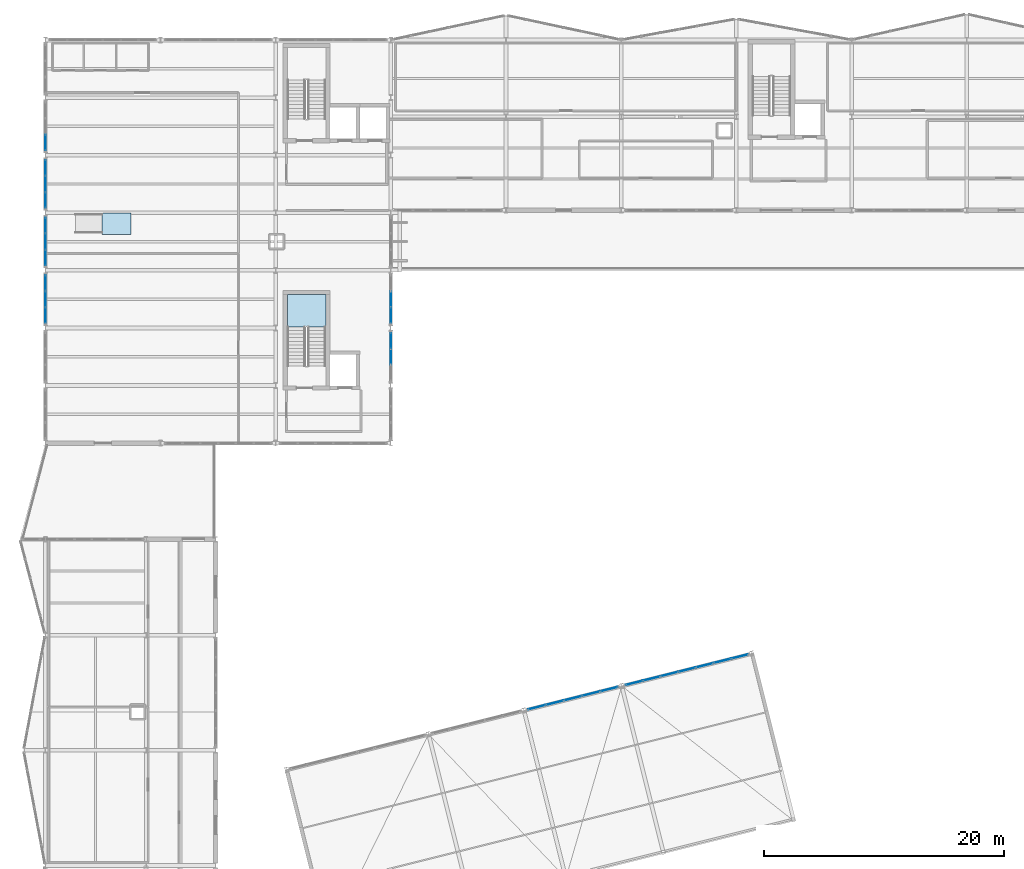
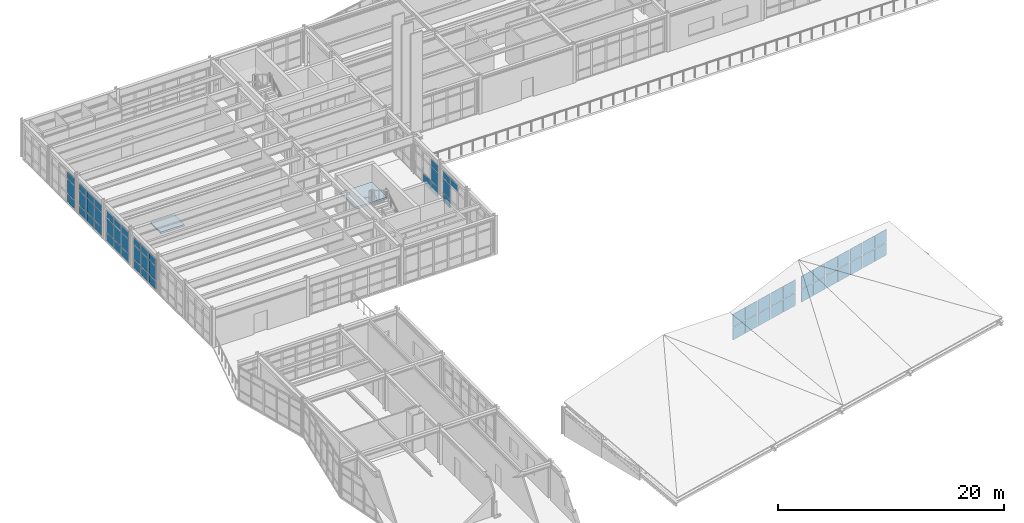
# One storey, part 32 of 47: 62 plates, 2 slabs, 9 elements without a shape of their own.
"""IFC4 building model written with IfcOpenShell, lengths in metres."""

from ifc_helpers import new_model, si_unit, direction, frame, origin, origin_2d, place, context, subcontext, project, spatial, polyline, rectangle, outline, extrude, material, layer, layer_set, type_object, element, aggregate, save


model = new_model("IFC4")

# Units and contexts
model_context = context("Model", 3, precision=1e-05, world=origin(), true_north=direction((0.0, 1.0)))
body_context = subcontext(model_context, "Body", "Model", "MODEL_VIEW")
ifc_project = project(units=[si_unit("LENGTHUNIT", "METRE"), si_unit("AREAUNIT", "SQUARE_METRE"), si_unit("VOLUMEUNIT", "CUBIC_METRE"), si_unit("PLANEANGLEUNIT", "RADIAN"), si_unit("MASSUNIT", "GRAM", prefix="KILO")], contexts=[model_context])

# Site, building, storey
site_placement = place(None, origin())
site = spatial("IfcSite", under=ifc_project, at=site_placement, CompositionType="ELEMENT")
building_placement = place(site_placement, origin())
building = spatial("IfcBuilding", under=site, at=building_placement, Name="Nordkorset Police Headquarters", CompositionType="ELEMENT")
storey_placement = place(building_placement, frame((0.0, 0.0, 22.050048828125)))
storey = spatial("IfcBuildingStorey", under=building, at=storey_placement, Name="L05", CompositionType="ELEMENT", Elevation=22.050048828125)

# Curtain wall, plates
ifc_material_1 = material(Name="Aluminium alloy AW-6060", Category="aluminium")
ifc_layer_1 = layer(ifc_material_1, 0.179931640625, Name="Aluminium alloy AW-6060")
ifc_layer_set_1 = layer_set([ifc_layer_1], Name="Aluminium alloy AW-6060")
curtain_wall_type_1 = type_object("IfcCurtainWallType", Name="CW_Unit_408x344", PredefinedType="USERDEFINED", material=ifc_layer_set_1)
curtain_wall_1_placement = place(storey_placement, origin())
curtain_wall_1 = element("IfcCurtainWall", 1, at=curtain_wall_1_placement, inside=storey, type_object=curtain_wall_type_1, Name="Unitised Curtain Wall L05 V1W-2", ObjectType="UNITISED CURTAIN WALL", PredefinedType="USERDEFINED")
ifc_material_2 = material(Name="Low-iron triple glazing", Category="glass")
ifc_layer_2 = layer(ifc_material_2, 0.035888671875, Name="Low-iron triple glazing")
ifc_layer_set_2 = layer_set([ifc_layer_2], Name="Low-iron triple glazing")
plate_type = type_object("IfcPlateType", Name="CW_Panel_TripleGlazing_36", PredefinedType="CURTAIN_PANEL", material=ifc_layer_set_2)
plate_1_placement = place(storey_placement, frame((0.0, 93.856201171875, 0.06494140625), z_axis=(0.0, 0.0, 1.0), x_axis=(0.0, 1.0, 0.0)))
plate_1 = element("IfcPlate", 2, at=plate_1_placement, type_object=plate_type, Name="CW-29 panel 1.1", PredefinedType="CURTAIN_PANEL", context=body_context, shape_type="SweptSolid", body=[
    extrude(rectangle(XDim=1.262451171875, YDim=0.035888671875, at=origin_2d()), origin(), (0.0, 0.0, 1.0), 0.902587890625),
])
plate_2_placement = place(storey_placement, frame((0.0, 93.856201171875, 1.032470703125), z_axis=(0.0, 0.0, 1.0), x_axis=(0.0, 1.0, 0.0)))
plate_2 = element("IfcPlate", 3, at=plate_2_placement, type_object=plate_type, Name="CW-29 panel 1.2", PredefinedType="CURTAIN_PANEL", context=body_context, shape_type="SweptSolid", body=[
    extrude(rectangle(XDim=1.262451171875, YDim=0.035888671875, at=origin_2d()), origin(), (0.0, 0.0, 1.0), 1.52490234375),
])
plate_3_placement = place(storey_placement, frame((0.0, 93.856201171875, 2.62255859375), z_axis=(0.0, 0.0, 1.0), x_axis=(0.0, 1.0, 0.0)))
plate_3 = element("IfcPlate", 4, at=plate_3_placement, type_object=plate_type, Name="CW-29 panel 1.3", PredefinedType="CURTAIN_PANEL", context=body_context, shape_type="SweptSolid", body=[
    extrude(rectangle(XDim=1.262451171875, YDim=0.035888671875, at=origin_2d()), origin(), (0.0, 0.0, 1.0), 0.75244140625),
])
plate_4_placement = place(storey_placement, frame((0.0, 95.199951171875, 0.06494140625), z_axis=(0.0, 0.0, 1.0), x_axis=(0.0, 1.0, 0.0)))
plate_4 = element("IfcPlate", 5, at=plate_4_placement, type_object=plate_type, Name="CW-29 panel 2.1", PredefinedType="CURTAIN_PANEL", context=body_context, shape_type="SweptSolid", body=[
    extrude(rectangle(XDim=1.294921875, YDim=0.035888671875, at=origin_2d()), origin(), (0.0, 0.0, 1.0), 0.902587890625),
])
plate_5_placement = place(storey_placement, frame((0.0, 95.199951171875, 1.032470703125), z_axis=(0.0, 0.0, 1.0), x_axis=(0.0, 1.0, 0.0)))
plate_5 = element("IfcPlate", 6, at=plate_5_placement, type_object=plate_type, Name="CW-29 panel 2.2", PredefinedType="CURTAIN_PANEL", context=body_context, shape_type="SweptSolid", body=[
    extrude(rectangle(XDim=1.294921875, YDim=0.035888671875, at=origin_2d()), origin(), (0.0, 0.0, 1.0), 1.52490234375),
])
plate_6_placement = place(storey_placement, frame((0.0, 95.199951171875, 2.62255859375), z_axis=(0.0, 0.0, 1.0), x_axis=(0.0, 1.0, 0.0)))
plate_6 = element("IfcPlate", 7, at=plate_6_placement, type_object=plate_type, Name="CW-29 panel 2.3", PredefinedType="CURTAIN_PANEL", context=body_context, shape_type="SweptSolid", body=[
    extrude(rectangle(XDim=1.294921875, YDim=0.035888671875, at=origin_2d()), origin(), (0.0, 0.0, 1.0), 0.75244140625),
])
plate_7_placement = place(storey_placement, frame((0.0, 96.543701171875, 0.06494140625), z_axis=(0.0, 0.0, 1.0), x_axis=(0.0, 1.0, 0.0)))
plate_7 = element("IfcPlate", 8, at=plate_7_placement, type_object=plate_type, Name="CW-29 panel 3.1", PredefinedType="CURTAIN_PANEL", context=body_context, shape_type="SweptSolid", body=[
    extrude(rectangle(XDim=1.262451171875, YDim=0.035888671875, at=origin_2d()), origin(), (0.0, 0.0, 1.0), 0.902587890625),
])
plate_8_placement = place(storey_placement, frame((0.0, 96.543701171875, 1.032470703125), z_axis=(0.0, 0.0, 1.0), x_axis=(0.0, 1.0, 0.0)))
plate_8 = element("IfcPlate", 9, at=plate_8_placement, type_object=plate_type, Name="CW-29 panel 3.2", PredefinedType="CURTAIN_PANEL", context=body_context, shape_type="SweptSolid", body=[
    extrude(rectangle(XDim=1.262451171875, YDim=0.035888671875, at=origin_2d()), origin(), (0.0, 0.0, 1.0), 1.52490234375),
])
plate_9_placement = place(storey_placement, frame((0.0, 96.543701171875, 2.62255859375), z_axis=(0.0, 0.0, 1.0), x_axis=(0.0, 1.0, 0.0)))
plate_9 = element("IfcPlate", 10, at=plate_9_placement, type_object=plate_type, Name="CW-29 panel 3.3", PredefinedType="CURTAIN_PANEL", context=body_context, shape_type="SweptSolid", body=[
    extrude(rectangle(XDim=1.262451171875, YDim=0.035888671875, at=origin_2d()), origin(), (0.0, 0.0, 1.0), 0.75244140625),
])
aggregate(curtain_wall_1, [plate_1, plate_2, plate_3, plate_4, plate_5, plate_6, plate_7, plate_8, plate_9])

curtain_wall_2_placement = place(storey_placement, origin())
curtain_wall_2 = element("IfcCurtainWall", 11, at=curtain_wall_2_placement, inside=storey, type_object=curtain_wall_type_1, Name="Unitised Curtain Wall L05 V1W-3", ObjectType="UNITISED CURTAIN WALL", PredefinedType="USERDEFINED")
plate_10_placement = place(storey_placement, frame((0.0, 98.65625, 0.06494140625), z_axis=(0.0, 0.0, 1.0), x_axis=(0.0, 1.0, 0.0)))
plate_10 = element("IfcPlate", 12, at=plate_10_placement, type_object=plate_type, Name="CW-29 panel 1.1", PredefinedType="CURTAIN_PANEL", context=body_context, shape_type="SweptSolid", body=[
    extrude(rectangle(XDim=1.262451171875, YDim=0.035888671875, at=origin_2d()), origin(), (0.0, 0.0, 1.0), 0.902587890625),
])
plate_11_placement = place(storey_placement, frame((0.0, 98.65625, 1.032470703125), z_axis=(0.0, 0.0, 1.0), x_axis=(0.0, 1.0, 0.0)))
plate_11 = element("IfcPlate", 13, at=plate_11_placement, type_object=plate_type, Name="CW-29 panel 1.2", PredefinedType="CURTAIN_PANEL", context=body_context, shape_type="SweptSolid", body=[
    extrude(rectangle(XDim=1.262451171875, YDim=0.035888671875, at=origin_2d()), origin(), (0.0, 0.0, 1.0), 1.52490234375),
])
plate_12_placement = place(storey_placement, frame((0.0, 98.65625, 2.62255859375), z_axis=(0.0, 0.0, 1.0), x_axis=(0.0, 1.0, 0.0)))
plate_12 = element("IfcPlate", 14, at=plate_12_placement, type_object=plate_type, Name="CW-29 panel 1.3", PredefinedType="CURTAIN_PANEL", context=body_context, shape_type="SweptSolid", body=[
    extrude(rectangle(XDim=1.262451171875, YDim=0.035888671875, at=origin_2d()), origin(), (0.0, 0.0, 1.0), 0.75244140625),
])
plate_13_placement = place(storey_placement, frame((0.0, 100.0, 0.06494140625), z_axis=(0.0, 0.0, 1.0), x_axis=(0.0, 1.0, 0.0)))
plate_13 = element("IfcPlate", 15, at=plate_13_placement, type_object=plate_type, Name="CW-29 panel 2.1", PredefinedType="CURTAIN_PANEL", context=body_context, shape_type="SweptSolid", body=[
    extrude(rectangle(XDim=1.294921875, YDim=0.035888671875, at=origin_2d()), origin(), (0.0, 0.0, 1.0), 0.902587890625),
])
plate_14_placement = place(storey_placement, frame((0.0, 100.0, 1.032470703125), z_axis=(0.0, 0.0, 1.0), x_axis=(0.0, 1.0, 0.0)))
plate_14 = element("IfcPlate", 16, at=plate_14_placement, type_object=plate_type, Name="CW-29 panel 2.2", PredefinedType="CURTAIN_PANEL", context=body_context, shape_type="SweptSolid", body=[
    extrude(rectangle(XDim=1.294921875, YDim=0.035888671875, at=origin_2d()), origin(), (0.0, 0.0, 1.0), 1.52490234375),
])
plate_15_placement = place(storey_placement, frame((0.0, 100.0, 2.62255859375), z_axis=(0.0, 0.0, 1.0), x_axis=(0.0, 1.0, 0.0)))
plate_15 = element("IfcPlate", 17, at=plate_15_placement, type_object=plate_type, Name="CW-29 panel 2.3", PredefinedType="CURTAIN_PANEL", context=body_context, shape_type="SweptSolid", body=[
    extrude(rectangle(XDim=1.294921875, YDim=0.035888671875, at=origin_2d()), origin(), (0.0, 0.0, 1.0), 0.75244140625),
])
plate_16_placement = place(storey_placement, frame((0.0, 101.34375, 0.06494140625), z_axis=(0.0, 0.0, 1.0), x_axis=(0.0, 1.0, 0.0)))
plate_16 = element("IfcPlate", 18, at=plate_16_placement, type_object=plate_type, Name="CW-29 panel 3.1", PredefinedType="CURTAIN_PANEL", context=body_context, shape_type="SweptSolid", body=[
    extrude(rectangle(XDim=1.262451171875, YDim=0.035888671875, at=origin_2d()), origin(), (0.0, 0.0, 1.0), 0.902587890625),
])
plate_17_placement = place(storey_placement, frame((0.0, 101.34375, 1.032470703125), z_axis=(0.0, 0.0, 1.0), x_axis=(0.0, 1.0, 0.0)))
plate_17 = element("IfcPlate", 19, at=plate_17_placement, type_object=plate_type, Name="CW-29 panel 3.2", PredefinedType="CURTAIN_PANEL", context=body_context, shape_type="SweptSolid", body=[
    extrude(rectangle(XDim=1.262451171875, YDim=0.035888671875, at=origin_2d()), origin(), (0.0, 0.0, 1.0), 1.52490234375),
])
plate_18_placement = place(storey_placement, frame((0.0, 101.34375, 2.62255859375), z_axis=(0.0, 0.0, 1.0), x_axis=(0.0, 1.0, 0.0)))
plate_18 = element("IfcPlate", 20, at=plate_18_placement, type_object=plate_type, Name="CW-29 panel 3.3", PredefinedType="CURTAIN_PANEL", context=body_context, shape_type="SweptSolid", body=[
    extrude(rectangle(XDim=1.262451171875, YDim=0.035888671875, at=origin_2d()), origin(), (0.0, 0.0, 1.0), 0.75244140625),
])
aggregate(curtain_wall_2, [plate_10, plate_11, plate_12, plate_13, plate_14, plate_15, plate_16, plate_17, plate_18])

curtain_wall_3_placement = place(storey_placement, origin())
curtain_wall_3 = element("IfcCurtainWall", 21, at=curtain_wall_3_placement, inside=storey, type_object=curtain_wall_type_1, Name="Unitised Curtain Wall L05 V1W-4", ObjectType="UNITISED CURTAIN WALL", PredefinedType="USERDEFINED")
plate_19_placement = place(storey_placement, frame((0.0, 103.456298828125, 0.06494140625), z_axis=(0.0, 0.0, 1.0), x_axis=(0.0, 1.0, 0.0)))
plate_19 = element("IfcPlate", 22, at=plate_19_placement, type_object=plate_type, Name="CW-29 panel 1.1", PredefinedType="CURTAIN_PANEL", context=body_context, shape_type="SweptSolid", body=[
    extrude(rectangle(XDim=1.262451171875, YDim=0.035888671875, at=origin_2d()), origin(), (0.0, 0.0, 1.0), 0.902587890625),
])
plate_20_placement = place(storey_placement, frame((0.0, 103.456298828125, 1.032470703125), z_axis=(0.0, 0.0, 1.0), x_axis=(0.0, 1.0, 0.0)))
plate_20 = element("IfcPlate", 23, at=plate_20_placement, type_object=plate_type, Name="CW-29 panel 1.2", PredefinedType="CURTAIN_PANEL", context=body_context, shape_type="SweptSolid", body=[
    extrude(rectangle(XDim=1.262451171875, YDim=0.035888671875, at=origin_2d()), origin(), (0.0, 0.0, 1.0), 1.52490234375),
])
plate_21_placement = place(storey_placement, frame((0.0, 103.456298828125, 2.62255859375), z_axis=(0.0, 0.0, 1.0), x_axis=(0.0, 1.0, 0.0)))
plate_21 = element("IfcPlate", 24, at=plate_21_placement, type_object=plate_type, Name="CW-29 panel 1.3", PredefinedType="CURTAIN_PANEL", context=body_context, shape_type="SweptSolid", body=[
    extrude(rectangle(XDim=1.262451171875, YDim=0.035888671875, at=origin_2d()), origin(), (0.0, 0.0, 1.0), 0.75244140625),
])
plate_22_placement = place(storey_placement, frame((0.0, 104.800048828125, 0.06494140625), z_axis=(0.0, 0.0, 1.0), x_axis=(0.0, 1.0, 0.0)))
plate_22 = element("IfcPlate", 25, at=plate_22_placement, type_object=plate_type, Name="CW-29 panel 2.1", PredefinedType="CURTAIN_PANEL", context=body_context, shape_type="SweptSolid", body=[
    extrude(rectangle(XDim=1.294921875, YDim=0.035888671875, at=origin_2d()), origin(), (0.0, 0.0, 1.0), 0.902587890625),
])
plate_23_placement = place(storey_placement, frame((0.0, 104.800048828125, 1.032470703125), z_axis=(0.0, 0.0, 1.0), x_axis=(0.0, 1.0, 0.0)))
plate_23 = element("IfcPlate", 26, at=plate_23_placement, type_object=plate_type, Name="CW-29 panel 2.2", PredefinedType="CURTAIN_PANEL", context=body_context, shape_type="SweptSolid", body=[
    extrude(rectangle(XDim=1.294921875, YDim=0.035888671875, at=origin_2d()), origin(), (0.0, 0.0, 1.0), 1.52490234375),
])
plate_24_placement = place(storey_placement, frame((0.0, 104.800048828125, 2.62255859375), z_axis=(0.0, 0.0, 1.0), x_axis=(0.0, 1.0, 0.0)))
plate_24 = element("IfcPlate", 27, at=plate_24_placement, type_object=plate_type, Name="CW-29 panel 2.3", PredefinedType="CURTAIN_PANEL", context=body_context, shape_type="SweptSolid", body=[
    extrude(rectangle(XDim=1.294921875, YDim=0.035888671875, at=origin_2d()), origin(), (0.0, 0.0, 1.0), 0.75244140625),
])
plate_25_placement = place(storey_placement, frame((0.0, 106.143798828125, 0.06494140625), z_axis=(0.0, 0.0, 1.0), x_axis=(0.0, 1.0, 0.0)))
plate_25 = element("IfcPlate", 28, at=plate_25_placement, type_object=plate_type, Name="CW-29 panel 3.1", PredefinedType="CURTAIN_PANEL", context=body_context, shape_type="SweptSolid", body=[
    extrude(rectangle(XDim=1.262451171875, YDim=0.035888671875, at=origin_2d()), origin(), (0.0, 0.0, 1.0), 0.902587890625),
])
plate_26_placement = place(storey_placement, frame((0.0, 106.143798828125, 1.032470703125), z_axis=(0.0, 0.0, 1.0), x_axis=(0.0, 1.0, 0.0)))
plate_26 = element("IfcPlate", 29, at=plate_26_placement, type_object=plate_type, Name="CW-29 panel 3.2", PredefinedType="CURTAIN_PANEL", context=body_context, shape_type="SweptSolid", body=[
    extrude(rectangle(XDim=1.262451171875, YDim=0.035888671875, at=origin_2d()), origin(), (0.0, 0.0, 1.0), 1.52490234375),
])
plate_27_placement = place(storey_placement, frame((0.0, 106.143798828125, 2.62255859375), z_axis=(0.0, 0.0, 1.0), x_axis=(0.0, 1.0, 0.0)))
plate_27 = element("IfcPlate", 30, at=plate_27_placement, type_object=plate_type, Name="CW-29 panel 3.3", PredefinedType="CURTAIN_PANEL", context=body_context, shape_type="SweptSolid", body=[
    extrude(rectangle(XDim=1.262451171875, YDim=0.035888671875, at=origin_2d()), origin(), (0.0, 0.0, 1.0), 0.75244140625),
])
aggregate(curtain_wall_3, [plate_19, plate_20, plate_21, plate_22, plate_23, plate_24, plate_25, plate_26, plate_27])

curtain_wall_4_placement = place(storey_placement, origin())
curtain_wall_4 = element("IfcCurtainWall", 31, at=curtain_wall_4_placement, inside=storey, type_object=curtain_wall_type_1, Name="Unitised Curtain Wall L05 V1W-5", ObjectType="UNITISED CURTAIN WALL", PredefinedType="USERDEFINED")
plate_28_placement = place(storey_placement, frame((0.0, 108.25634765625, 0.06494140625), z_axis=(0.0, 0.0, 1.0), x_axis=(0.0, 1.0, 0.0)))
plate_28 = element("IfcPlate", 32, at=plate_28_placement, type_object=plate_type, Name="CW-29 panel 1.1", PredefinedType="CURTAIN_PANEL", context=body_context, shape_type="SweptSolid", body=[
    extrude(rectangle(XDim=1.262451171875, YDim=0.035888671875, at=origin_2d()), origin(), (0.0, 0.0, 1.0), 0.902587890625),
])
plate_29_placement = place(storey_placement, frame((0.0, 108.25634765625, 1.032470703125), z_axis=(0.0, 0.0, 1.0), x_axis=(0.0, 1.0, 0.0)))
plate_29 = element("IfcPlate", 33, at=plate_29_placement, type_object=plate_type, Name="CW-29 panel 1.2", PredefinedType="CURTAIN_PANEL", context=body_context, shape_type="SweptSolid", body=[
    extrude(rectangle(XDim=1.262451171875, YDim=0.035888671875, at=origin_2d()), origin(), (0.0, 0.0, 1.0), 1.52490234375),
])
plate_30_placement = place(storey_placement, frame((0.0, 108.25634765625, 2.62255859375), z_axis=(0.0, 0.0, 1.0), x_axis=(0.0, 1.0, 0.0)))
plate_30 = element("IfcPlate", 34, at=plate_30_placement, type_object=plate_type, Name="CW-29 panel 1.3", PredefinedType="CURTAIN_PANEL", context=body_context, shape_type="SweptSolid", body=[
    extrude(rectangle(XDim=1.262451171875, YDim=0.035888671875, at=origin_2d()), origin(), (0.0, 0.0, 1.0), 0.75244140625),
])
aggregate(curtain_wall_4, [plate_28, plate_29, plate_30])

curtain_wall_5_placement = place(storey_placement, origin())
curtain_wall_5 = element("IfcCurtainWall", 35, at=curtain_wall_5_placement, inside=storey, type_object=curtain_wall_type_1, Name="Unitised Curtain Wall L05 V1E-1", ObjectType="UNITISED CURTAIN WALL", PredefinedType="USERDEFINED")
plate_31_placement = place(storey_placement, frame((28.800048828125, 90.39990234375, 2.62255859375), z_axis=(0.0, 0.0, 1.0), x_axis=(0.0, 1.0, 0.0)))
plate_31 = element("IfcPlate", 36, at=plate_31_placement, type_object=plate_type, Name="CW-29 panel 2.3", PredefinedType="CURTAIN_PANEL", context=body_context, shape_type="SweptSolid", body=[
    extrude(rectangle(XDim=1.294921875, YDim=0.035888671875, at=origin_2d()), origin(), (0.0, 0.0, 1.0), 0.75244140625),
])
plate_32_placement = place(storey_placement, frame((28.800048828125, 91.74365234375, 0.06494140625), z_axis=(0.0, 0.0, 1.0), x_axis=(0.0, 1.0, 0.0)))
plate_32 = element("IfcPlate", 37, at=plate_32_placement, type_object=plate_type, Name="CW-29 panel 3.1", PredefinedType="CURTAIN_PANEL", context=body_context, shape_type="SweptSolid", body=[
    extrude(rectangle(XDim=1.262451171875, YDim=0.035888671875, at=origin_2d()), origin(), (0.0, 0.0, 1.0), 0.902587890625),
])
plate_33_placement = place(storey_placement, frame((28.800048828125, 91.74365234375, 1.032470703125), z_axis=(0.0, 0.0, 1.0), x_axis=(0.0, 1.0, 0.0)))
plate_33 = element("IfcPlate", 38, at=plate_33_placement, type_object=plate_type, Name="CW-29 panel 3.2", PredefinedType="CURTAIN_PANEL", context=body_context, shape_type="SweptSolid", body=[
    extrude(rectangle(XDim=1.262451171875, YDim=0.035888671875, at=origin_2d()), origin(), (0.0, 0.0, 1.0), 1.52490234375),
])
plate_34_placement = place(storey_placement, frame((28.800048828125, 91.74365234375, 2.62255859375), z_axis=(0.0, 0.0, 1.0), x_axis=(0.0, 1.0, 0.0)))
plate_34 = element("IfcPlate", 39, at=plate_34_placement, type_object=plate_type, Name="CW-29 panel 3.3", PredefinedType="CURTAIN_PANEL", context=body_context, shape_type="SweptSolid", body=[
    extrude(rectangle(XDim=1.262451171875, YDim=0.035888671875, at=origin_2d()), origin(), (0.0, 0.0, 1.0), 0.75244140625),
])
aggregate(curtain_wall_5, [plate_31, plate_32, plate_33, plate_34])

curtain_wall_6_placement = place(storey_placement, origin())
curtain_wall_6 = element("IfcCurtainWall", 40, at=curtain_wall_6_placement, inside=storey, type_object=curtain_wall_type_1, Name="Unitised Curtain Wall L05 V1E-2", ObjectType="UNITISED CURTAIN WALL", PredefinedType="USERDEFINED")
plate_35_placement = place(storey_placement, frame((28.800048828125, 93.856201171875, 0.06494140625), z_axis=(0.0, 0.0, 1.0), x_axis=(0.0, 1.0, 0.0)))
plate_35 = element("IfcPlate", 41, at=plate_35_placement, type_object=plate_type, Name="CW-29 panel 1.1", PredefinedType="CURTAIN_PANEL", context=body_context, shape_type="SweptSolid", body=[
    extrude(rectangle(XDim=1.262451171875, YDim=0.035888671875, at=origin_2d()), origin(), (0.0, 0.0, 1.0), 0.902587890625),
])
plate_36_placement = place(storey_placement, frame((28.800048828125, 93.856201171875, 1.032470703125), z_axis=(0.0, 0.0, 1.0), x_axis=(0.0, 1.0, 0.0)))
plate_36 = element("IfcPlate", 42, at=plate_36_placement, type_object=plate_type, Name="CW-29 panel 1.2", PredefinedType="CURTAIN_PANEL", context=body_context, shape_type="SweptSolid", body=[
    extrude(rectangle(XDim=1.262451171875, YDim=0.035888671875, at=origin_2d()), origin(), (0.0, 0.0, 1.0), 1.52490234375),
])
plate_37_placement = place(storey_placement, frame((28.800048828125, 93.856201171875, 2.62255859375), z_axis=(0.0, 0.0, 1.0), x_axis=(0.0, 1.0, 0.0)))
plate_37 = element("IfcPlate", 43, at=plate_37_placement, type_object=plate_type, Name="CW-29 panel 1.3", PredefinedType="CURTAIN_PANEL", context=body_context, shape_type="SweptSolid", body=[
    extrude(rectangle(XDim=1.262451171875, YDim=0.035888671875, at=origin_2d()), origin(), (0.0, 0.0, 1.0), 0.75244140625),
])
plate_38_placement = place(storey_placement, frame((28.800048828125, 95.199951171875, 0.06494140625), z_axis=(0.0, 0.0, 1.0), x_axis=(0.0, 1.0, 0.0)))
plate_38 = element("IfcPlate", 44, at=plate_38_placement, type_object=plate_type, Name="CW-29 panel 2.1", PredefinedType="CURTAIN_PANEL", context=body_context, shape_type="SweptSolid", body=[
    extrude(rectangle(XDim=1.294921875, YDim=0.035888671875, at=origin_2d()), origin(), (0.0, 0.0, 1.0), 0.902587890625),
])
aggregate(curtain_wall_6, [plate_35, plate_36, plate_37, plate_38])

ifc_material_3 = material(Name="Aluminium alloy AW-6060", Category="aluminium")
ifc_layer_3 = layer(ifc_material_3, 0.179931640625, Name="Aluminium alloy AW-6060")
ifc_layer_set_3 = layer_set([ifc_layer_3], Name="Aluminium alloy AW-6060")
curtain_wall_type_2 = type_object("IfcCurtainWallType", Name="CW_Unit_780x293", PredefinedType="USERDEFINED", material=ifc_layer_set_3)
curtain_wall_7_placement = place(storey_placement, origin())
curtain_wall_7 = element("IfcCurtainWall", 45, at=curtain_wall_7_placement, inside=storey, type_object=curtain_wall_type_2, Name="Unitised Curtain Wall L05 V4CLER-2", ObjectType="UNITISED CURTAIN WALL", PredefinedType="USERDEFINED")
plate_39_placement = place(storey_placement, frame((40.9619140625, 61.18359375, 0.06494140625), z_axis=(0.0, 0.0, 1.0), x_axis=(0.970142424729, 0.242535926701, 0.0)))
plate_39 = element("IfcPlate", 46, at=plate_39_placement, type_object=plate_type, Name="CW-60 panel 1.1", PredefinedType="CURTAIN_PANEL", context=body_context, shape_type="SweptSolid", body=[
    extrude(rectangle(XDim=1.46240234375, YDim=0.035888671875, at=origin_2d()), origin(), (0.0, 0.0, 1.0), 1.367431640625),
])
plate_40_placement = place(storey_placement, frame((40.9619140625, 61.18359375, 1.49755859375), z_axis=(0.0, 0.0, 1.0), x_axis=(0.970142424729, 0.242535926701, 0.0)))
plate_40 = element("IfcPlate", 47, at=plate_40_placement, type_object=plate_type, Name="CW-60 panel 1.2", PredefinedType="CURTAIN_PANEL", context=body_context, shape_type="SweptSolid", body=[
    extrude(rectangle(XDim=1.46240234375, YDim=0.035888671875, at=origin_2d()), origin(), (0.0, 0.0, 1.0), 1.367431640625),
])
plate_41_placement = place(storey_placement, frame((42.45947265625, 61.55810546875, 0.06494140625), z_axis=(0.0, 0.0, 1.0), x_axis=(0.970142424729, 0.242535926701, 0.0)))
plate_41 = element("IfcPlate", 48, at=plate_41_placement, type_object=plate_type, Name="CW-60 panel 2.1", PredefinedType="CURTAIN_PANEL", context=body_context, shape_type="SweptSolid", body=[
    extrude(rectangle(XDim=1.4951171875, YDim=0.035888671875, at=origin_2d()), origin(), (0.0, 0.0, 1.0), 1.367431640625),
])
plate_42_placement = place(storey_placement, frame((42.45947265625, 61.55810546875, 1.49755859375), z_axis=(0.0, 0.0, 1.0), x_axis=(0.970142424729, 0.242535926701, 0.0)))
plate_42 = element("IfcPlate", 49, at=plate_42_placement, type_object=plate_type, Name="CW-60 panel 2.2", PredefinedType="CURTAIN_PANEL", context=body_context, shape_type="SweptSolid", body=[
    extrude(rectangle(XDim=1.4951171875, YDim=0.035888671875, at=origin_2d()), origin(), (0.0, 0.0, 1.0), 1.367431640625),
])
plate_43_placement = place(storey_placement, frame((43.972900390625, 61.9365234375, 0.06494140625), z_axis=(0.0, 0.0, 1.0), x_axis=(0.970142424729, 0.242535926701, 0.0)))
plate_43 = element("IfcPlate", 50, at=plate_43_placement, type_object=plate_type, Name="CW-60 panel 3.1", PredefinedType="CURTAIN_PANEL", context=body_context, shape_type="SweptSolid", body=[
    extrude(rectangle(XDim=1.4951171875, YDim=0.035888671875, at=origin_2d()), origin(), (0.0, 0.0, 1.0), 1.367431640625),
])
plate_44_placement = place(storey_placement, frame((43.972900390625, 61.9365234375, 1.49755859375), z_axis=(0.0, 0.0, 1.0), x_axis=(0.970142424729, 0.242535926701, 0.0)))
plate_44 = element("IfcPlate", 51, at=plate_44_placement, type_object=plate_type, Name="CW-60 panel 3.2", PredefinedType="CURTAIN_PANEL", context=body_context, shape_type="SweptSolid", body=[
    extrude(rectangle(XDim=1.4951171875, YDim=0.035888671875, at=origin_2d()), origin(), (0.0, 0.0, 1.0), 1.367431640625),
])
plate_45_placement = place(storey_placement, frame((45.486328125, 62.314697265625, 0.06494140625), z_axis=(0.0, 0.0, 1.0), x_axis=(0.970142424729, 0.242535926701, 0.0)))
plate_45 = element("IfcPlate", 52, at=plate_45_placement, type_object=plate_type, Name="CW-60 panel 4.1", PredefinedType="CURTAIN_PANEL", context=body_context, shape_type="SweptSolid", body=[
    extrude(rectangle(XDim=1.4951171875, YDim=0.035888671875, at=origin_2d()), origin(), (0.0, 0.0, 1.0), 1.367431640625),
])
plate_46_placement = place(storey_placement, frame((45.486328125, 62.314697265625, 1.49755859375), z_axis=(0.0, 0.0, 1.0), x_axis=(0.970142424729, 0.242535926701, 0.0)))
plate_46 = element("IfcPlate", 53, at=plate_46_placement, type_object=plate_type, Name="CW-60 panel 4.2", PredefinedType="CURTAIN_PANEL", context=body_context, shape_type="SweptSolid", body=[
    extrude(rectangle(XDim=1.4951171875, YDim=0.035888671875, at=origin_2d()), origin(), (0.0, 0.0, 1.0), 1.367431640625),
])
plate_47_placement = place(storey_placement, frame((46.984130859375, 62.689208984375, 0.06494140625), z_axis=(0.0, 0.0, 1.0), x_axis=(0.970142424729, 0.242535926701, 0.0)))
plate_47 = element("IfcPlate", 54, at=plate_47_placement, type_object=plate_type, Name="CW-60 panel 5.1", PredefinedType="CURTAIN_PANEL", context=body_context, shape_type="SweptSolid", body=[
    extrude(rectangle(XDim=1.46240234375, YDim=0.035888671875, at=origin_2d()), origin(), (0.0, 0.0, 1.0), 1.367431640625),
])
plate_48_placement = place(storey_placement, frame((46.984130859375, 62.689208984375, 1.49755859375), z_axis=(0.0, 0.0, 1.0), x_axis=(0.970142424729, 0.242535926701, 0.0)))
plate_48 = element("IfcPlate", 55, at=plate_48_placement, type_object=plate_type, Name="CW-60 panel 5.2", PredefinedType="CURTAIN_PANEL", context=body_context, shape_type="SweptSolid", body=[
    extrude(rectangle(XDim=1.46240234375, YDim=0.035888671875, at=origin_2d()), origin(), (0.0, 0.0, 1.0), 1.367431640625),
])
aggregate(curtain_wall_7, [plate_39, plate_40, plate_41, plate_42, plate_43, plate_44, plate_45, plate_46, plate_47, plate_48])

ifc_material_4 = material(Name="Aluminium alloy AW-6060", Category="aluminium")
ifc_layer_4 = layer(ifc_material_4, 0.179931640625, Name="Aluminium alloy AW-6060")
ifc_layer_set_4 = layer_set([ifc_layer_4], Name="Aluminium alloy AW-6060")
curtain_wall_type_3 = type_object("IfcCurtainWallType", Name="CW_Unit_1060x293", PredefinedType="USERDEFINED", material=ifc_layer_set_4)
curtain_wall_8_placement = place(storey_placement, origin())
curtain_wall_8 = element("IfcCurtainWall", 56, at=curtain_wall_8_placement, inside=storey, type_object=curtain_wall_type_3, Name="Unitised Curtain Wall L05 V4CLER-3", ObjectType="UNITISED CURTAIN WALL", PredefinedType="USERDEFINED")
plate_49_placement = place(storey_placement, frame((49.0888671875, 63.21533203125, 0.06494140625), z_axis=(0.0, 0.0, 1.0), x_axis=(0.97014244465, 0.242535847018, 0.0)))
plate_49 = element("IfcPlate", 57, at=plate_49_placement, type_object=plate_type, Name="CW-48 panel 1.1", PredefinedType="CURTAIN_PANEL", context=body_context, shape_type="SweptSolid", body=[
    extrude(rectangle(XDim=1.416748046875, YDim=0.035888671875, at=origin_2d()), origin(), (0.0, 0.0, 1.0), 1.367431640625),
])
plate_50_placement = place(storey_placement, frame((49.0888671875, 63.21533203125, 1.49755859375), z_axis=(0.0, 0.0, 1.0), x_axis=(0.97014244465, 0.242535847018, 0.0)))
plate_50 = element("IfcPlate", 58, at=plate_50_placement, type_object=plate_type, Name="CW-48 panel 1.2", PredefinedType="CURTAIN_PANEL", context=body_context, shape_type="SweptSolid", body=[
    extrude(rectangle(XDim=1.416748046875, YDim=0.035888671875, at=origin_2d()), origin(), (0.0, 0.0, 1.0), 1.367431640625),
])
plate_51_placement = place(storey_placement, frame((50.542236328125, 63.578857421875, 0.06494140625), z_axis=(0.0, 0.0, 1.0), x_axis=(0.97014244465, 0.242535847018, 0.0)))
plate_51 = element("IfcPlate", 59, at=plate_51_placement, type_object=plate_type, Name="CW-48 panel 2.1", PredefinedType="CURTAIN_PANEL", context=body_context, shape_type="SweptSolid", body=[
    extrude(rectangle(XDim=1.44921875, YDim=0.035888671875, at=origin_2d()), origin(), (0.0, 0.0, 1.0), 1.367431640625),
])
plate_52_placement = place(storey_placement, frame((50.542236328125, 63.578857421875, 1.49755859375), z_axis=(0.0, 0.0, 1.0), x_axis=(0.97014244465, 0.242535847018, 0.0)))
plate_52 = element("IfcPlate", 60, at=plate_52_placement, type_object=plate_type, Name="CW-48 panel 2.2", PredefinedType="CURTAIN_PANEL", context=body_context, shape_type="SweptSolid", body=[
    extrude(rectangle(XDim=1.44921875, YDim=0.035888671875, at=origin_2d()), origin(), (0.0, 0.0, 1.0), 1.367431640625),
])
plate_53_placement = place(storey_placement, frame((52.01123046875, 63.946044921875, 0.06494140625), z_axis=(0.0, 0.0, 1.0), x_axis=(0.97014244465, 0.242535847018, 0.0)))
plate_53 = element("IfcPlate", 61, at=plate_53_placement, type_object=plate_type, Name="CW-48 panel 3.1", PredefinedType="CURTAIN_PANEL", context=body_context, shape_type="SweptSolid", body=[
    extrude(rectangle(XDim=1.44921875, YDim=0.035888671875, at=origin_2d()), origin(), (0.0, 0.0, 1.0), 1.367431640625),
])
plate_54_placement = place(storey_placement, frame((52.01123046875, 63.946044921875, 1.49755859375), z_axis=(0.0, 0.0, 1.0), x_axis=(0.97014244465, 0.242535847018, 0.0)))
plate_54 = element("IfcPlate", 62, at=plate_54_placement, type_object=plate_type, Name="CW-48 panel 3.2", PredefinedType="CURTAIN_PANEL", context=body_context, shape_type="SweptSolid", body=[
    extrude(rectangle(XDim=1.44921875, YDim=0.035888671875, at=origin_2d()), origin(), (0.0, 0.0, 1.0), 1.367431640625),
])
plate_55_placement = place(storey_placement, frame((53.48046875, 64.313232421875, 0.06494140625), z_axis=(0.0, 0.0, 1.0), x_axis=(0.97014244465, 0.242535847018, 0.0)))
plate_55 = element("IfcPlate", 63, at=plate_55_placement, type_object=plate_type, Name="CW-48 panel 4.1", PredefinedType="CURTAIN_PANEL", context=body_context, shape_type="SweptSolid", body=[
    extrude(rectangle(XDim=1.44921875, YDim=0.035888671875, at=origin_2d()), origin(), (0.0, 0.0, 1.0), 1.367431640625),
])
plate_56_placement = place(storey_placement, frame((53.48046875, 64.313232421875, 1.49755859375), z_axis=(0.0, 0.0, 1.0), x_axis=(0.97014244465, 0.242535847018, 0.0)))
plate_56 = element("IfcPlate", 64, at=plate_56_placement, type_object=plate_type, Name="CW-48 panel 4.2", PredefinedType="CURTAIN_PANEL", context=body_context, shape_type="SweptSolid", body=[
    extrude(rectangle(XDim=1.44921875, YDim=0.035888671875, at=origin_2d()), origin(), (0.0, 0.0, 1.0), 1.367431640625),
])
plate_57_placement = place(storey_placement, frame((54.949462890625, 64.6806640625, 0.06494140625), z_axis=(0.0, 0.0, 1.0), x_axis=(0.97014244465, 0.242535847018, 0.0)))
plate_57 = element("IfcPlate", 65, at=plate_57_placement, type_object=plate_type, Name="CW-48 panel 5.1", PredefinedType="CURTAIN_PANEL", context=body_context, shape_type="SweptSolid", body=[
    extrude(rectangle(XDim=1.44921875, YDim=0.035888671875, at=origin_2d()), origin(), (0.0, 0.0, 1.0), 1.367431640625),
])
plate_58_placement = place(storey_placement, frame((54.949462890625, 64.6806640625, 1.49755859375), z_axis=(0.0, 0.0, 1.0), x_axis=(0.97014244465, 0.242535847018, 0.0)))
plate_58 = element("IfcPlate", 66, at=plate_58_placement, type_object=plate_type, Name="CW-48 panel 5.2", PredefinedType="CURTAIN_PANEL", context=body_context, shape_type="SweptSolid", body=[
    extrude(rectangle(XDim=1.44921875, YDim=0.035888671875, at=origin_2d()), origin(), (0.0, 0.0, 1.0), 1.367431640625),
])
plate_59_placement = place(storey_placement, frame((56.41845703125, 65.0478515625, 0.06494140625), z_axis=(0.0, 0.0, 1.0), x_axis=(0.97014244465, 0.242535847018, 0.0)))
plate_59 = element("IfcPlate", 67, at=plate_59_placement, type_object=plate_type, Name="CW-48 panel 6.1", PredefinedType="CURTAIN_PANEL", context=body_context, shape_type="SweptSolid", body=[
    extrude(rectangle(XDim=1.44921875, YDim=0.035888671875, at=origin_2d()), origin(), (0.0, 0.0, 1.0), 1.367431640625),
])
plate_60_placement = place(storey_placement, frame((56.41845703125, 65.0478515625, 1.49755859375), z_axis=(0.0, 0.0, 1.0), x_axis=(0.97014244465, 0.242535847018, 0.0)))
plate_60 = element("IfcPlate", 68, at=plate_60_placement, type_object=plate_type, Name="CW-48 panel 6.2", PredefinedType="CURTAIN_PANEL", context=body_context, shape_type="SweptSolid", body=[
    extrude(rectangle(XDim=1.44921875, YDim=0.035888671875, at=origin_2d()), origin(), (0.0, 0.0, 1.0), 1.367431640625),
])
plate_61_placement = place(storey_placement, frame((57.871826171875, 65.4111328125, 0.06494140625), z_axis=(0.0, 0.0, 1.0), x_axis=(0.97014244465, 0.242535847018, 0.0)))
plate_61 = element("IfcPlate", 69, at=plate_61_placement, type_object=plate_type, Name="CW-48 panel 7.1", PredefinedType="CURTAIN_PANEL", context=body_context, shape_type="SweptSolid", body=[
    extrude(rectangle(XDim=1.416748046875, YDim=0.035888671875, at=origin_2d()), origin(), (0.0, 0.0, 1.0), 1.367431640625),
])
plate_62_placement = place(storey_placement, frame((57.871826171875, 65.4111328125, 1.49755859375), z_axis=(0.0, 0.0, 1.0), x_axis=(0.97014244465, 0.242535847018, 0.0)))
plate_62 = element("IfcPlate", 70, at=plate_62_placement, type_object=plate_type, Name="CW-48 panel 7.2", PredefinedType="CURTAIN_PANEL", context=body_context, shape_type="SweptSolid", body=[
    extrude(rectangle(XDim=1.416748046875, YDim=0.035888671875, at=origin_2d()), origin(), (0.0, 0.0, 1.0), 1.367431640625),
])
aggregate(curtain_wall_8, [plate_49, plate_50, plate_51, plate_52, plate_53, plate_54, plate_55, plate_56, plate_57, plate_58, plate_59, plate_60, plate_61, plate_62])

# Slab
ifc_material_5 = material(Name="Concrete C35/45", Category="concrete")
ifc_layer_5 = layer(ifc_material_5, 0.199951171875, Name="Concrete C35/45")
ifc_layer_set_5 = layer_set([ifc_layer_5], Name="Concrete C35/45")
slab_type_1 = type_object("IfcSlabType", Name="Slab_DaisPlatform_200", PredefinedType="LANDING", material=ifc_layer_set_5)
slab_1_placement = place(storey_placement, frame((0.0, 0.0, -0.06005859375)))
element("IfcSlab", 71, at=slab_1_placement, inside=storey, type_object=slab_type_1, Name="Hearing Room Dais Ramp Dais Landing", PredefinedType="LANDING", context=body_context, shape_type="SweptSolid", body=[
    extrude(outline(polyline([(4.72998046875, 100.60009765625), (7.139892578125, 100.60009765625), (7.139892578125, 102.39990234375), (4.72998046875, 102.39990234375), (4.72998046875, 100.60009765625)])), origin(), (0.0, 0.0, 1.0), 0.199951171875),
])

# Stair, slab
ifc_material_6 = material(Name="Concrete C35/45", Category="concrete")
stair_type = type_object("IfcStairType", Name="ST-42", PredefinedType="HALF_TURN_STAIR", material=ifc_material_6)
stair_placement = place(storey_placement, origin())
stair = element("IfcStair", 72, at=stair_placement, inside=storey, type_object=stair_type, Name="L05 Protected Escape Stair ST-03", PredefinedType="HALF_TURN_STAIR")
ifc_material_7 = material(Name="Concrete C35/45", Category="concrete")
ifc_layer_6 = layer(ifc_material_7, 0.199951171875, Name="Concrete C35/45")
ifc_layer_set_6 = layer_set([ifc_layer_6], Name="Concrete C35/45")
slab_type_2 = type_object("IfcSlabType", Name="Slab_StairLanding_200", PredefinedType="LANDING", material=ifc_layer_set_6)
slab_2_placement = place(storey_placement, frame((0.0, 0.0, 1.89990234375)))
slab_2 = element("IfcSlab", 73, at=slab_2_placement, type_object=slab_type_2, Name="ST-03 landing 1", PredefinedType="LANDING", context=body_context, shape_type="SweptSolid", body=[
    extrude(outline(polyline([(23.375, 92.8701171875), (23.375, 95.574951171875), (20.175048828125, 95.574951171875), (20.175048828125, 92.8701171875), (23.375, 92.8701171875)])), origin(), (0.0, 0.0, 1.0), 0.199951171875),
])
aggregate(stair, [slab_2])

save(model, "model.ifc")
